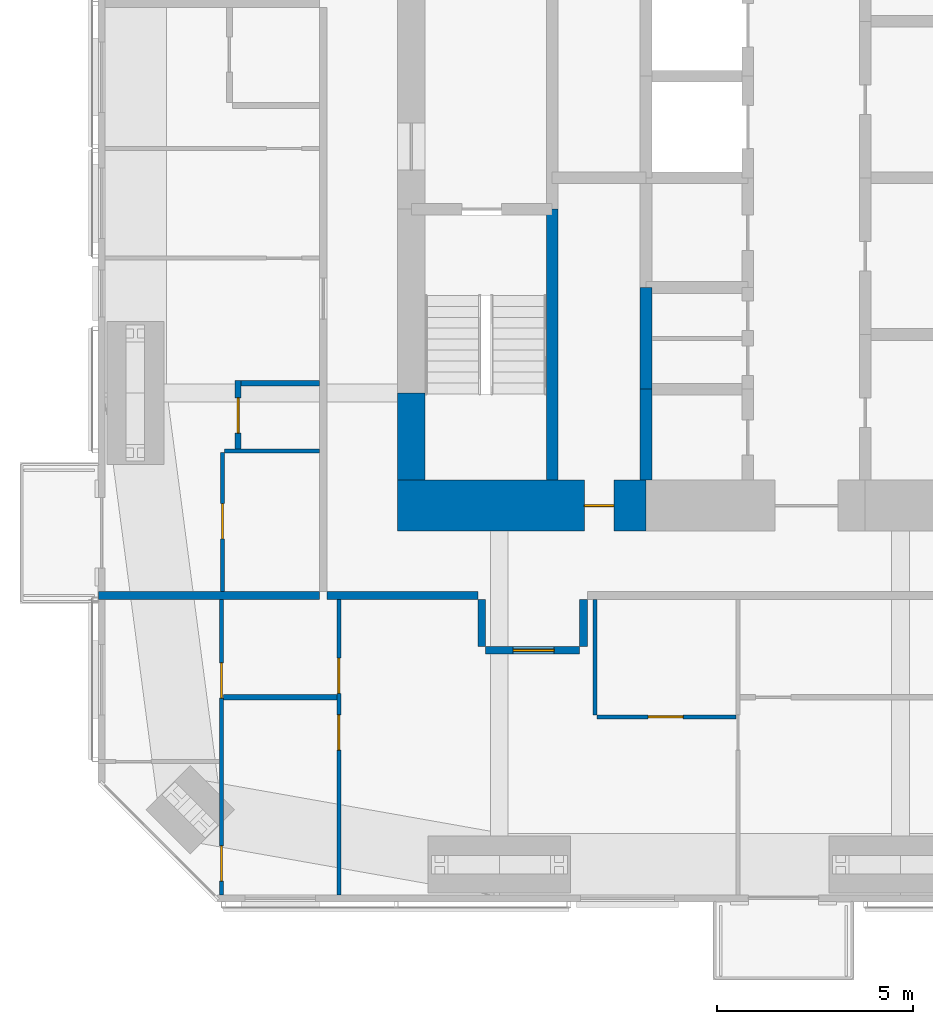
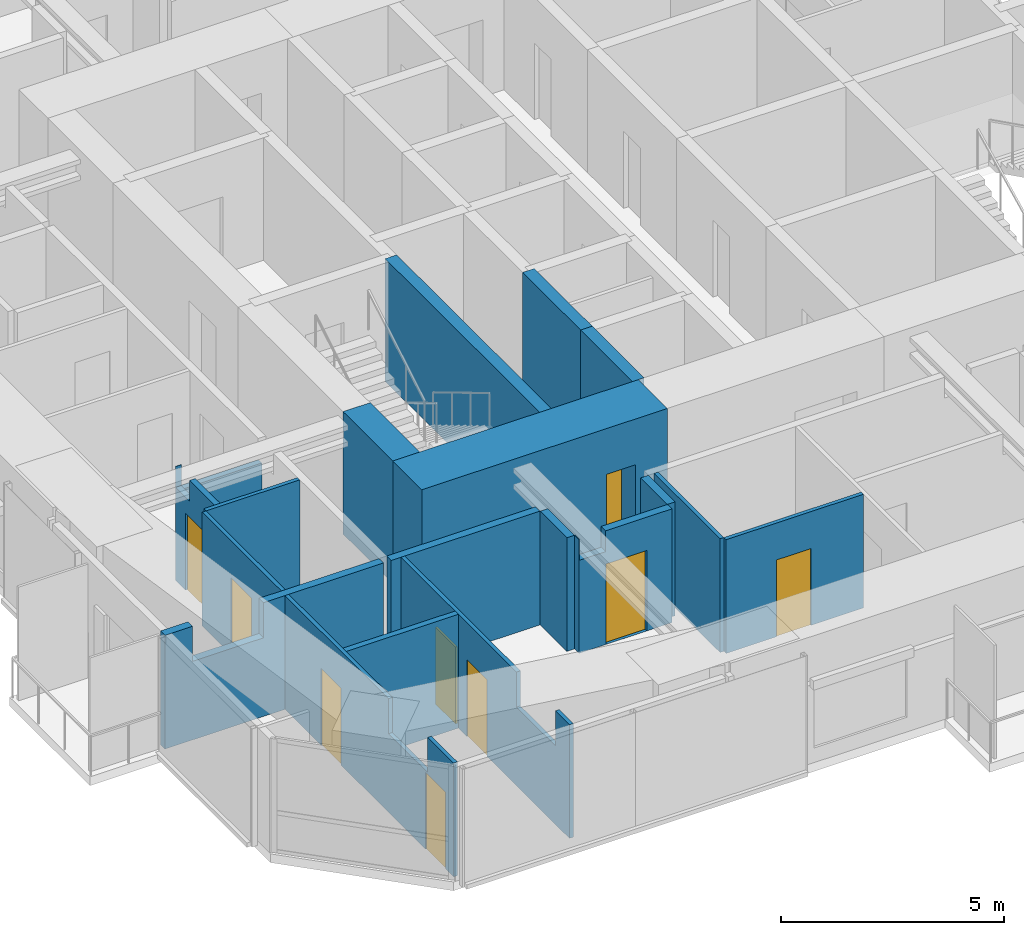
# One storey, part 15 of 22: 19 walls, 9 doors, 9 openings.
"""IFC4 building model written with IfcOpenShell, lengths in metres."""

from ifc_helpers import new_model, si_unit, direction, frame, frame_2d, origin, place, context, subcontext, project, spatial, polyline, rectangle, outline, extrude, material, layer, layer_set, constituent, constituent_set, type_object, element, fill, save


model = new_model("IFC4")

# Units and contexts
model_context = context("Model", 3, precision=1e-05, world=origin(), true_north=direction((0.0, 1.0)))
body_context = subcontext(model_context, "Body", "Model", "MODEL_VIEW")
ifc_project = project(units=[si_unit("LENGTHUNIT", "METRE"), si_unit("AREAUNIT", "SQUARE_METRE"), si_unit("VOLUMEUNIT", "CUBIC_METRE"), si_unit("PLANEANGLEUNIT", "RADIAN"), si_unit("MASSUNIT", "GRAM", prefix="KILO")], contexts=[model_context])

# Site, building, storey
site_placement = place(None, origin())
site = spatial("IfcSite", under=ifc_project, at=site_placement, CompositionType="ELEMENT")
building_placement = place(site_placement, origin())
building = spatial("IfcBuilding", under=site, at=building_placement, Name="Jalousie Tower", CompositionType="ELEMENT")
storey_placement = place(building_placement, frame((0.0, 0.0, 201.25)))
storey = spatial("IfcBuildingStorey", under=building, at=storey_placement, Name="L55", CompositionType="ELEMENT", Elevation=201.25)

# Wall
ifc_material_1 = material(Name="Concrete block ASTM C90", Category="concrete")
ifc_constituent_1 = constituent(ifc_material_1, Name="Body")
ifc_material_2 = material(Name="Render")
ifc_constituent_2 = constituent(ifc_material_2, Name="Finish")
ifc_constituent_set_1 = constituent_set(constituents=[ifc_constituent_1, ifc_constituent_2])
wall_type_1 = type_object("IfcWallType", Name="BATHROOM WALL 150", PredefinedType="PLUMBINGWALL", material=ifc_constituent_set_1)
wall_1_placement = place(storey_placement, frame((15.199951171875, 5.22509765625, 0.0), z_axis=(0.0, 0.0, 1.0), x_axis=(1.0, 0.0, 0.0)))
element("IfcWall", 1, at=wall_1_placement, inside=storey, type_object=wall_type_1, Name="Bathroom Wall 150 L55", PredefinedType="PLUMBINGWALL", context=body_context, shape_type="SweptSolid", body=[
    extrude(rectangle(XDim=2.900146484375, YDim=0.14990234375, at=frame_2d((1.4501953125, 0.0))), origin(), (0.0, 0.0, 1.0), 3.110107421875),
])

# Wall, opening, door
wall_2_placement = place(storey_placement, frame((15.574951171875, 11.574951171875, 0.0), z_axis=(0.0, 0.0, 1.0), x_axis=(0.0, 1.0, 0.0)))
wall_2 = element("IfcWall", 2, at=wall_2_placement, inside=storey, type_object=wall_type_1, Name="Bathroom Wall 150 L55", PredefinedType="PLUMBINGWALL", context=body_context, shape_type="SweptSolid", body=[
    extrude(outline(polyline([(0.0, 0.0), (1.75, 0.0), (1.75, 3.110107421875), (1.7373046875, 3.110107421875), (1.7373046875, 2.541015625), (1.11279296875, 2.541015625), (1.11279296875, 3.110107421875), (0.0, 3.110107421875), (0.0, 0.0)])), frame((0.0, 0.074951171875, 0.0), z_axis=(0.0, -1.0, 0.0), x_axis=(1.0, 0.0, 0.0)), (0.0, 0.0, 1.0), 0.14990234375),
])
opening_1_placement = place(wall_2_placement, frame((0.39990234375, 0.0, 0.0)))
opening_1 = element("IfcOpeningElement", 3, at=opening_1_placement, cuts=wall_2, Name="Opening D7", PredefinedType="OPENING", context=body_context, shape_type="SweptSolid", body=[
    extrude(rectangle(XDim=0.89990234375, YDim=2.10009765625, at=frame_2d((0.449951171875, 1.050048828125))), frame((0.0, 0.0849609375, 0.0), z_axis=(0.0, -1.0, 0.0), x_axis=(1.0, 0.0, 0.0)), (0.0, 0.0, 1.0), 0.169921875),
])
ifc_material_3 = material(Name="Timber door", Category="wood")
door_type_1 = type_object("IfcDoorType", Name="INTERNAL DOOR 900", OperationType="SINGLE_SWING_LEFT", PredefinedType="DOOR", material=ifc_material_3)
door_1_placement = place(opening_1_placement, frame((0.89990234375, 0.0, 0.0), z_axis=(0.0, 0.0, 1.0), x_axis=(-1.0, 0.0, 0.0)))
door_1 = element("IfcDoor", 4, at=door_1_placement, inside=storey, type_object=door_type_1, Name="Apartment 5504 guest WC door", OperationType="SINGLE_SWING_LEFT", OverallHeight=2.10009765625, OverallWidth=0.89990234375, PredefinedType="DOOR", context=body_context, shape_type="SweptSolid", body=[
    extrude(rectangle(XDim=0.89990234375, YDim=2.10009765625, at=frame_2d((0.449951171875, 1.050048828125))), frame((0.0, 0.02490234375, 0.0), z_axis=(0.0, -1.0, 0.0), x_axis=(1.0, 0.0, 0.0)), (0.0, 0.0, 1.0), 0.050048828125),
])
fill(opening_1, door_1)

# Wall
wall_3_placement = place(storey_placement, frame((17.64990234375, 13.25, 0.0), z_axis=(0.0, 0.0, 1.0), x_axis=(-1.0, 0.0, 0.0)))
element("IfcWall", 5, at=wall_3_placement, inside=storey, type_object=wall_type_1, Name="Bathroom Wall 150 L55", PredefinedType="PLUMBINGWALL", context=body_context, shape_type="SweptSolid", body=[
    extrude(outline(polyline([(0.0, 0.0), (2.0, 0.0), (2.0, 3.110107421875), (2.0, 2.541015625), (0.0, 2.541015625), (0.0, 3.110107421875), (0.0, 0.0)])), frame((0.0, 0.074951171875, 0.0), z_axis=(0.0, -1.0, 0.0), x_axis=(1.0, 0.0, 0.0)), (0.0, 0.0, 1.0), 0.14990234375),
])

# Wall, opening, door
ifc_material_4 = material(Name="Concrete f'c 120 MPa", Category="concrete")
ifc_layer_1 = layer(ifc_material_4, 1.300048828125)
ifc_layer_set_1 = layer_set([ifc_layer_1], Name="Concrete f'c 120 MPa")
wall_type_2 = type_object("IfcWallType", Name="CORE WALL 1300", PredefinedType="SHEAR", material=ifc_layer_set_1)
wall_4_placement = place(storey_placement, frame((19.64990234375, 10.125, 0.0), z_axis=(0.0, 0.0, 1.0), x_axis=(1.0, 0.0, 0.0)))
wall_4 = element("IfcWall", 6, at=wall_4_placement, inside=storey, type_object=wall_type_2, Name="Core wall SA L55", PredefinedType="SHEAR", context=body_context, shape_type="SweptSolid", body=[
    extrude(rectangle(XDim=6.35009765625, YDim=1.300048828125, at=frame_2d((3.175048828125, 0.0))), origin(), (0.0, 0.0, 1.0), 3.35009765625),
])
opening_2_placement = place(wall_4_placement, frame((4.77490234375, 0.0, 0.0)))
opening_2 = element("IfcOpeningElement", 7, at=opening_2_placement, cuts=wall_4, Name="Opening D16", PredefinedType="OPENING", context=body_context, shape_type="SweptSolid", body=[
    extrude(rectangle(XDim=0.75, YDim=2.10009765625, at=frame_2d((0.375, 1.050048828125))), frame((0.0, 0.659912109375, 0.0), z_axis=(0.0, -1.0, 0.0), x_axis=(1.0, 0.0, 0.0)), (0.0, 0.0, 1.0), 1.320068359375),
])
ifc_material_5 = material(Name="Steel fire door", Category="steel")
door_type_2 = type_object("IfcDoorType", Name="RISER DOOR 750", OperationType="SINGLE_SWING_LEFT", PredefinedType="DOOR", material=ifc_material_5)
door_2_placement = place(opening_2_placement, origin())
door_2 = element("IfcDoor", 8, at=door_2_placement, inside=storey, type_object=door_type_2, Name="South riser door", OperationType="SINGLE_SWING_LEFT", OverallHeight=2.10009765625, OverallWidth=0.75, PredefinedType="DOOR", context=body_context, shape_type="SweptSolid", body=[
    extrude(rectangle(XDim=0.75, YDim=2.10009765625, at=frame_2d((0.375, 1.050048828125))), frame((0.0, 0.02490234375, 0.0), z_axis=(0.0, -1.0, 0.0), x_axis=(1.0, 0.0, 0.0)), (0.0, 0.0, 1.0), 0.050048828125),
])
fill(opening_2, door_2)

# Walls
ifc_material_6 = material(Name="Concrete f'c 120 MPa", Category="concrete")
ifc_layer_2 = layer(ifc_material_6, 0.300048828125)
ifc_layer_set_2 = layer_set([ifc_layer_2], Name="Concrete f'c 120 MPa")
wall_type_3 = type_object("IfcWallType", Name="CORE WALL 300", PredefinedType="SHEAR", material=ifc_layer_set_2)
wall_5_placement = place(storey_placement, frame((23.60009765625, 10.77490234375, 0.0), z_axis=(0.0, 0.0, 1.0), x_axis=(0.0, 1.0, 0.0)))
element("IfcWall", 9, at=wall_5_placement, inside=storey, type_object=wall_type_3, Name="Core wall X23.6A L55", PredefinedType="SHEAR", context=body_context, shape_type="SweptSolid", body=[
    extrude(rectangle(XDim=6.925048828125, YDim=0.300048828125, at=frame_2d((3.46240234375, 0.0))), origin(), (0.0, 0.0, 1.0), 3.35009765625),
])
wall_6_placement = place(storey_placement, frame((26.0, 10.77490234375, 0.0), z_axis=(0.0, 0.0, 1.0), x_axis=(0.0, 1.0, 0.0)))
element("IfcWall", 10, at=wall_6_placement, inside=storey, type_object=wall_type_3, Name="Core wall X26A L55", PredefinedType="SHEAR", context=body_context, shape_type="SweptSolid", body=[
    extrude(rectangle(XDim=2.3251953125, YDim=0.300048828125, at=frame_2d((1.16259765625, 0.0))), origin(), (0.0, 0.0, 1.0), 3.35009765625),
])
wall_7_placement = place(storey_placement, frame((26.0, 13.10009765625, 0.0), z_axis=(0.0, 0.0, 1.0), x_axis=(0.0, 1.0, 0.0)))
element("IfcWall", 11, at=wall_7_placement, inside=storey, type_object=wall_type_3, Name="Core wall X26B L55", PredefinedType="SHEAR", context=body_context, shape_type="SweptSolid", body=[
    extrude(rectangle(XDim=2.599853515625, YDim=0.300048828125, at=frame_2d((1.2998046875, 0.0))), origin(), (0.0, 0.0, 1.0), 3.35009765625),
])
ifc_material_7 = material(Name="Concrete f'c 120 MPa", Category="concrete")
ifc_layer_3 = layer(ifc_material_7, 0.699951171875)
ifc_layer_set_3 = layer_set([ifc_layer_3], Name="Concrete f'c 120 MPa")
wall_type_4 = type_object("IfcWallType", Name="CORE WALL 700", PredefinedType="SHEAR", material=ifc_layer_set_3)
wall_8_placement = place(storey_placement, frame((20.0, 13.0, 0.0), z_axis=(0.0, 0.0, 1.0), x_axis=(0.0, -1.0, 0.0)))
element("IfcWall", 12, at=wall_8_placement, inside=storey, type_object=wall_type_4, Name="Core wall WD L55", PredefinedType="SHEAR", context=body_context, shape_type="SweptSolid", body=[
    extrude(rectangle(XDim=2.22509765625, YDim=0.699951171875, at=frame_2d((1.112548828125, 0.0))), origin(), (0.0, 0.0, 1.0), 3.35009765625),
])
ifc_material_8 = material(Name="Concrete block ASTM C90", Category="concrete")
ifc_constituent_3 = constituent(ifc_material_8, Name="Body")
ifc_material_9 = material(Name="Render")
ifc_constituent_4 = constituent(ifc_material_9, Name="Finish")
ifc_constituent_set_2 = constituent_set(constituents=[ifc_constituent_3, ifc_constituent_4])
wall_type_5 = type_object("IfcWallType", Name="CORRIDOR WALL 200", PredefinedType="PARTITIONING", material=ifc_constituent_set_2)
wall_9_placement = place(storey_placement, frame((17.85009765625, 7.824951171875, 0.0), z_axis=(0.0, 0.0, 1.0), x_axis=(1.0, 0.0, 0.0)))
element("IfcWall", 13, at=wall_9_placement, inside=storey, type_object=wall_type_5, Name="Corridor Wall 200 L55", PredefinedType="PARTITIONING", context=body_context, shape_type="SweptSolid", body=[
    extrude(rectangle(XDim=3.849853515625, YDim=0.199951171875, at=frame_2d((1.9248046875, 0.0))), origin(), (0.0, 0.0, 1.0), 3.110107421875),
])

# Wall, opening, door
wall_10_placement = place(storey_placement, frame((21.89990234375, 6.425048828125, 0.0), z_axis=(0.0, 0.0, 1.0), x_axis=(1.0, 0.0, 0.0)))
wall_10 = element("IfcWall", 14, at=wall_10_placement, inside=storey, type_object=wall_type_5, Name="Corridor Wall 200 L55", PredefinedType="PARTITIONING", context=body_context, shape_type="SweptSolid", body=[
    extrude(outline(polyline([(0.0, 0.0), (2.400146484375, 0.0), (2.39990234375, 3.110107421875), (0.687255859375, 3.110107421875), (0.687255859375, 2.541015625), (0.0126953125, 2.541015625), (0.0126953125, 3.110107421875), (0.0, 3.110107421875), (0.0, 0.0)])), frame((0.0, 0.10009765625, 0.0), z_axis=(0.0, -1.0, 0.0), x_axis=(1.0, 0.0, 0.0)), (0.0, 0.0, 1.0), 0.199951171875),
])
opening_3_placement = place(wall_10_placement, frame((0.699951171875, 0.0, 0.0)))
opening_3 = element("IfcOpeningElement", 15, at=opening_3_placement, cuts=wall_10, Name="Opening D1", PredefinedType="OPENING", context=body_context, shape_type="SweptSolid", body=[
    extrude(rectangle(XDim=1.050048828125, YDim=2.199951171875, at=frame_2d((0.52490234375, 1.10009765625))), frame((0.0, 0.10986328125, 0.0), z_axis=(0.0, -1.0, 0.0), x_axis=(1.0, 0.0, 0.0)), (0.0, 0.0, 1.0), 0.219970703125),
])
ifc_material_10 = material(Name="Timber fire door", Category="wood")
door_type_3 = type_object("IfcDoorType", Name="APARTMENT ENTRANCE DOOR 1050", OperationType="SINGLE_SWING_LEFT", PredefinedType="DOOR", material=ifc_material_10)
door_3_placement = place(opening_3_placement, frame((1.050048828125, 0.0, 0.0), z_axis=(0.0, 0.0, 1.0), x_axis=(-1.0, 0.0, 0.0)))
door_3 = element("IfcDoor", 16, at=door_3_placement, inside=storey, type_object=door_type_3, Name="Apartment 5501 entrance", OperationType="SINGLE_SWING_LEFT", OverallHeight=2.199951171875, OverallWidth=1.050048828125, PredefinedType="DOOR", context=body_context, shape_type="SweptSolid", body=[
    extrude(rectangle(XDim=1.050048828125, YDim=2.199951171875, at=frame_2d((0.52490234375, 1.10009765625))), frame((0.0, 0.02490234375, 0.0), z_axis=(0.0, -1.0, 0.0), x_axis=(1.0, 0.0, 0.0)), (0.0, 0.0, 1.0), 0.050048828125),
])
fill(opening_3, door_3)

# Walls
for number, where, z_axis, x_axis, name in (
    (17, (21.800048828125, 7.72509765625, 0.0), (0.0, 0.0, 1.0), (0.0, -1.0, 0.0), "Corridor Wall 200 L55"),
    (18, (24.39990234375, 7.72509765625, 0.0), (0.0, 0.0, 1.0), (0.0, -1.0, 0.0), "Corridor Wall 200 L55"),
):
    element("IfcWall", number, at=place(storey_placement, frame(where, z_axis=z_axis, x_axis=x_axis)), inside=storey, type_object=wall_type_5, Name=name, PredefinedType="PARTITIONING", context=body_context, shape_type="SweptSolid", body=[
        extrude(rectangle(XDim=1.2001953125, YDim=0.199951171875, at=frame_2d((0.60009765625, 0.0))), origin(), (0.0, 0.0, 1.0), 3.110107421875),
    ])

# Wall, openings, doors
ifc_material_11 = material(Name="Gypsum board", Category="gypsum")
ifc_constituent_5 = constituent(ifc_material_11, Name="Body")
ifc_material_12 = material(Name="Light-gauge steel studs ASTM A653 SS Grade 33", Category="steel")
ifc_constituent_6 = constituent(ifc_material_12, Name="Framing")
ifc_constituent_set_3 = constituent_set(constituents=[ifc_constituent_5, ifc_constituent_6])
wall_type_6 = type_object("IfcWallType", Name="PARTITION 100", PredefinedType="PARTITIONING", material=ifc_constituent_set_3)
wall_11_placement = place(storey_placement, frame((15.14990234375, 0.175048828125, 0.0), z_axis=(0.0, 0.0, 1.0), x_axis=(0.0, 1.0, 0.0)))
wall_11 = element("IfcWall", 19, at=wall_11_placement, inside=storey, type_object=wall_type_6, Name="Partition 100 L55", PredefinedType="PARTITIONING", context=body_context, shape_type="SweptSolid", body=[
    extrude(outline(polyline([(0.0, 0.0), (7.550048828125, 0.0), (7.550048828125, 3.110107421875), (2.905029296875, 3.110107421875), (2.905029296875, 2.14990234375), (1.158203125, 2.14990234375), (1.158203125, 3.110107421875), (0.0, 3.110107421875), (0.0, 0.0)])), frame((0.0, 0.050048828125, 0.0), z_axis=(0.0, -1.0, 0.0), x_axis=(1.0, 0.0, 0.0)), (0.0, 0.0, 1.0), 0.10009765625),
])
opening_4_placement = place(wall_11_placement, frame((0.35498046875, 0.0, 0.0)))
opening_4 = element("IfcOpeningElement", 20, at=opening_4_placement, cuts=wall_11, Name="Opening D2", PredefinedType="OPENING", context=body_context, shape_type="SweptSolid", body=[
    extrude(rectangle(XDim=0.89990234375, YDim=2.10009765625, at=frame_2d((0.449951171875, 1.050048828125))), frame((0.0, 0.06005859375, 0.0), z_axis=(0.0, -1.0, 0.0), x_axis=(1.0, 0.0, 0.0)), (0.0, 0.0, 1.0), 0.1201171875),
])
opening_5_placement = place(wall_11_placement, frame((5.02734375, 0.0, 0.0)))
opening_5 = element("IfcOpeningElement", 21, at=opening_5_placement, cuts=wall_11, Name="Opening D3", PredefinedType="OPENING", context=body_context, shape_type="SweptSolid", body=[
    extrude(rectangle(XDim=0.89990234375, YDim=2.10009765625, at=frame_2d((0.449951171875, 1.050048828125))), frame((0.0, 0.06005859375, 0.0), z_axis=(0.0, -1.0, 0.0), x_axis=(1.0, 0.0, 0.0)), (0.0, 0.0, 1.0), 0.1201171875),
])
ifc_material_13 = material(Name="Timber door", Category="wood")
door_type_4 = type_object("IfcDoorType", Name="BATHROOM DOOR 900", OperationType="SINGLE_SWING_LEFT", PredefinedType="DOOR", material=ifc_material_13)
door_4_placement = place(opening_5_placement, frame((0.89990234375, 0.0, 0.0), z_axis=(0.0, 0.0, 1.0), x_axis=(-1.0, 0.0, 0.0)))
door_4 = element("IfcDoor", 22, at=door_4_placement, inside=storey, type_object=door_type_4, Name="Apartment 5501 bedroom 1 bathroom door", OperationType="SINGLE_SWING_LEFT", OverallHeight=2.10009765625, OverallWidth=0.89990234375, PredefinedType="DOOR", context=body_context, shape_type="SweptSolid", body=[
    extrude(rectangle(XDim=0.89990234375, YDim=2.10009765625, at=frame_2d((0.449951171875, 1.050048828125))), frame((0.0, 0.02490234375, 0.0), z_axis=(0.0, -1.0, 0.0), x_axis=(1.0, 0.0, 0.0)), (0.0, 0.0, 1.0), 0.050048828125),
])
fill(opening_5, door_4)
ifc_material_14 = material(Name="Timber door", Category="wood")
door_type_5 = type_object("IfcDoorType", Name="BEDROOM DOOR 900", OperationType="SINGLE_SWING_LEFT", PredefinedType="DOOR", material=ifc_material_14)
door_5_placement = place(opening_4_placement, frame((0.89990234375, 0.0, 0.0), z_axis=(0.0, 0.0, 1.0), x_axis=(-1.0, 0.0, 0.0)))
door_5 = element("IfcDoor", 23, at=door_5_placement, inside=storey, type_object=door_type_5, Name="Apartment 5501 bedroom 1 door", OperationType="SINGLE_SWING_RIGHT", OverallHeight=2.10009765625, OverallWidth=0.89990234375, PredefinedType="DOOR", context=body_context, shape_type="SweptSolid", body=[
    extrude(rectangle(XDim=0.89990234375, YDim=2.10009765625, at=frame_2d((0.449951171875, 1.050048828125))), frame((0.0, 0.02490234375, 0.0), z_axis=(0.0, -1.0, 0.0), x_axis=(1.0, 0.0, 0.0)), (0.0, 0.0, 1.0), 0.050048828125),
])
fill(opening_4, door_5)

wall_12_placement = place(storey_placement, frame((18.14990234375, 0.175048828125, 0.0), z_axis=(0.0, 0.0, 1.0), x_axis=(0.0, 1.0, 0.0)))
wall_12 = element("IfcWall", 24, at=wall_12_placement, inside=storey, type_object=wall_type_6, Name="Partition 100 L55", PredefinedType="PARTITIONING", context=body_context, shape_type="SweptSolid", body=[
    extrude(outline(polyline([(0.0, 0.0), (7.550048828125, 0.0), (7.550048828125, 3.110107421875), (2.3740234375, 3.110107421875), (2.3740234375, 2.14990234375), (0.627197265625, 2.14990234375), (0.627197265625, 3.110107421875), (0.0, 3.110107421875), (0.0, 0.0)])), frame((0.0, 0.050048828125, 0.0), z_axis=(0.0, -1.0, 0.0), x_axis=(1.0, 0.0, 0.0)), (0.0, 0.0, 1.0), 0.10009765625),
])
opening_6_placement = place(wall_12_placement, frame((3.699951171875, 0.0, 0.0)))
opening_6 = element("IfcOpeningElement", 25, at=opening_6_placement, cuts=wall_12, Name="Opening D2", PredefinedType="OPENING", context=body_context, shape_type="SweptSolid", body=[
    extrude(rectangle(XDim=0.89990234375, YDim=2.10009765625, at=frame_2d((0.449951171875, 1.050048828125))), frame((0.0, 0.06005859375, 0.0), z_axis=(0.0, -1.0, 0.0), x_axis=(1.0, 0.0, 0.0)), (0.0, 0.0, 1.0), 0.1201171875),
])
opening_7_placement = place(wall_12_placement, frame((5.14990234375, 0.0, 0.0)))
opening_7 = element("IfcOpeningElement", 26, at=opening_7_placement, cuts=wall_12, Name="Opening D7", PredefinedType="OPENING", context=body_context, shape_type="SweptSolid", body=[
    extrude(rectangle(XDim=0.89990234375, YDim=2.10009765625, at=frame_2d((0.449951171875, 1.050048828125))), frame((0.0, 0.06005859375, 0.0), z_axis=(0.0, -1.0, 0.0), x_axis=(1.0, 0.0, 0.0)), (0.0, 0.0, 1.0), 0.1201171875),
])
door_6_placement = place(opening_6_placement, origin())
door_6 = element("IfcDoor", 27, at=door_6_placement, inside=storey, type_object=door_type_5, Name="Apartment 5501 bedroom 2 door", OperationType="SINGLE_SWING_RIGHT", OverallHeight=2.10009765625, OverallWidth=0.89990234375, PredefinedType="DOOR", context=body_context, shape_type="SweptSolid", body=[
    extrude(rectangle(XDim=0.89990234375, YDim=2.10009765625, at=frame_2d((0.449951171875, 1.050048828125))), frame((0.0, 0.02490234375, 0.0), z_axis=(0.0, -1.0, 0.0), x_axis=(1.0, 0.0, 0.0)), (0.0, 0.0, 1.0), 0.050048828125),
])
fill(opening_6, door_6)
door_7_placement = place(opening_7_placement, origin())
door_7 = element("IfcDoor", 28, at=door_7_placement, inside=storey, type_object=door_type_1, Name="Apartment 5501 bathroom door", OperationType="SINGLE_SWING_LEFT", OverallHeight=2.10009765625, OverallWidth=0.89990234375, PredefinedType="DOOR", context=body_context, shape_type="SweptSolid", body=[
    extrude(rectangle(XDim=0.89990234375, YDim=2.10009765625, at=frame_2d((0.449951171875, 1.050048828125))), frame((0.0, 0.02490234375, 0.0), z_axis=(0.0, -1.0, 0.0), x_axis=(1.0, 0.0, 0.0)), (0.0, 0.0, 1.0), 0.050048828125),
])
fill(opening_7, door_7)

# Wall, opening, door
wall_13_placement = place(storey_placement, frame((24.75, 4.72509765625, 0.0), z_axis=(0.0, 0.0, 1.0), x_axis=(1.0, 0.0, 0.0)))
wall_13 = element("IfcWall", 29, at=wall_13_placement, inside=storey, type_object=wall_type_6, Name="Partition 100 L55", PredefinedType="PARTITIONING", context=body_context, shape_type="SweptSolid", body=[
    extrude(rectangle(XDim=3.550048828125, YDim=0.10009765625, at=frame_2d((1.77490234375, 0.0))), origin(), (0.0, 0.0, 1.0), 3.110107421875),
])
opening_8_placement = place(wall_13_placement, frame((1.300048828125, 0.0, 0.0)))
opening_8 = element("IfcOpeningElement", 30, at=opening_8_placement, cuts=wall_13, Name="Opening D7", PredefinedType="OPENING", context=body_context, shape_type="SweptSolid", body=[
    extrude(rectangle(XDim=0.89990234375, YDim=2.10009765625, at=frame_2d((0.449951171875, 1.050048828125))), frame((0.0, 0.06005859375, 0.0), z_axis=(0.0, -1.0, 0.0), x_axis=(1.0, 0.0, 0.0)), (0.0, 0.0, 1.0), 0.1201171875),
])
door_8_placement = place(opening_8_placement, frame((0.89990234375, 0.0, 0.0), z_axis=(0.0, 0.0, 1.0), x_axis=(-1.0, 0.0, 0.0)))
door_8 = element("IfcDoor", 31, at=door_8_placement, inside=storey, type_object=door_type_1, Name="Apartment 5501 kitchen door", OperationType="SINGLE_SWING_LEFT", OverallHeight=2.10009765625, OverallWidth=0.89990234375, PredefinedType="DOOR", context=body_context, shape_type="SweptSolid", body=[
    extrude(rectangle(XDim=0.89990234375, YDim=2.10009765625, at=frame_2d((0.449951171875, 1.050048828125))), frame((0.0, 0.02490234375, 0.0), z_axis=(0.0, -1.0, 0.0), x_axis=(1.0, 0.0, 0.0)), (0.0, 0.0, 1.0), 0.050048828125),
])
fill(opening_8, door_8)

# Wall
wall_14_placement = place(storey_placement, frame((24.699951171875, 4.77490234375, 0.0), z_axis=(0.0, 0.0, 1.0), x_axis=(0.0, 1.0, 0.0)))
element("IfcWall", 32, at=wall_14_placement, inside=storey, type_object=wall_type_6, Name="Partition 100 L55", PredefinedType="PARTITIONING", context=body_context, shape_type="SweptSolid", body=[
    extrude(rectangle(XDim=2.9501953125, YDim=0.10009765625, at=frame_2d((1.47509765625, 0.0))), origin(), (0.0, 0.0, 1.0), 3.110107421875),
])

# Wall, opening, door
wall_15_placement = place(storey_placement, frame((15.175048828125, 7.925048828125, 0.0), z_axis=(0.0, 0.0, 1.0), x_axis=(0.0, 1.0, 0.0)))
wall_15 = element("IfcWall", 33, at=wall_15_placement, inside=storey, type_object=wall_type_6, Name="Partition 100 L55", PredefinedType="PARTITIONING", context=body_context, shape_type="SweptSolid", body=[
    extrude(rectangle(XDim=3.550048828125, YDim=0.10009765625, at=frame_2d((1.77490234375, 0.0))), origin(), (0.0, 0.0, 1.0), 3.110107421875),
])
opening_9_placement = place(wall_15_placement, frame((1.35009765625, 0.0, 0.0)))
opening_9 = element("IfcOpeningElement", 34, at=opening_9_placement, cuts=wall_15, Name="Opening D7", PredefinedType="OPENING", context=body_context, shape_type="SweptSolid", body=[
    extrude(rectangle(XDim=0.89990234375, YDim=2.10009765625, at=frame_2d((0.449951171875, 1.050048828125))), frame((0.0, 0.06005859375, 0.0), z_axis=(0.0, -1.0, 0.0), x_axis=(1.0, 0.0, 0.0)), (0.0, 0.0, 1.0), 0.1201171875),
])
door_9_placement = place(opening_9_placement, origin())
door_9 = element("IfcDoor", 35, at=door_9_placement, inside=storey, type_object=door_type_1, Name="Apartment 5504 kitchen door", OperationType="SINGLE_SWING_LEFT", OverallHeight=2.10009765625, OverallWidth=0.89990234375, PredefinedType="DOOR", context=body_context, shape_type="SweptSolid", body=[
    extrude(rectangle(XDim=0.89990234375, YDim=2.10009765625, at=frame_2d((0.449951171875, 1.050048828125))), frame((0.0, 0.02490234375, 0.0), z_axis=(0.0, -1.0, 0.0), x_axis=(1.0, 0.0, 0.0)), (0.0, 0.0, 1.0), 0.050048828125),
])
fill(opening_9, door_9)

# Walls
wall_16_placement = place(storey_placement, frame((15.22509765625, 11.52490234375, 0.0), z_axis=(0.0, 0.0, 1.0), x_axis=(1.0, 0.0, 0.0)))
element("IfcWall", 36, at=wall_16_placement, inside=storey, type_object=wall_type_6, Name="Partition 100 L55", PredefinedType="PARTITIONING", context=body_context, shape_type="SweptSolid", body=[
    extrude(rectangle(XDim=2.4248046875, YDim=0.10009765625, at=frame_2d((1.21240234375, 0.0))), origin(), (0.0, 0.0, 1.0), 3.110107421875),
])
ifc_material_15 = material(Name="Concrete block ASTM C90", Category="concrete")
ifc_constituent_7 = constituent(ifc_material_15, Name="Body")
ifc_material_16 = material(Name="Render")
ifc_constituent_8 = constituent(ifc_material_16, Name="Finish")
ifc_constituent_set_4 = constituent_set(constituents=[ifc_constituent_7, ifc_constituent_8])
wall_type_7 = type_object("IfcWallType", Name="PARTY WALL 200", PredefinedType="PARTITIONING", material=ifc_constituent_set_4)
wall_17_placement = place(storey_placement, frame((12.0, 7.824951171875, 0.0), z_axis=(0.0, 0.0, 1.0), x_axis=(1.0, 0.0, 0.0)))
element("IfcWall", 37, at=wall_17_placement, inside=storey, type_object=wall_type_7, Name="Party Wall 200 L55", PredefinedType="PARTITIONING", context=body_context, shape_type="SweptSolid", body=[
    extrude(outline(polyline([(0.0, 0.0), (5.64990234375, 0.0), (5.64990234375, 3.110107421875), (2.54736328125, 3.110107421875), (2.54736328125, 2.14990234375), (0.711669921875, 2.14990234375), (0.711669921875, 3.110107421875), (0.0, 3.110107421875), (0.0, 0.0)])), frame((0.0, 0.10009765625, 0.0), z_axis=(0.0, -1.0, 0.0), x_axis=(1.0, 0.0, 0.0)), (0.0, 0.0, 1.0), 0.199951171875),
])

save(model, "model.ifc")
